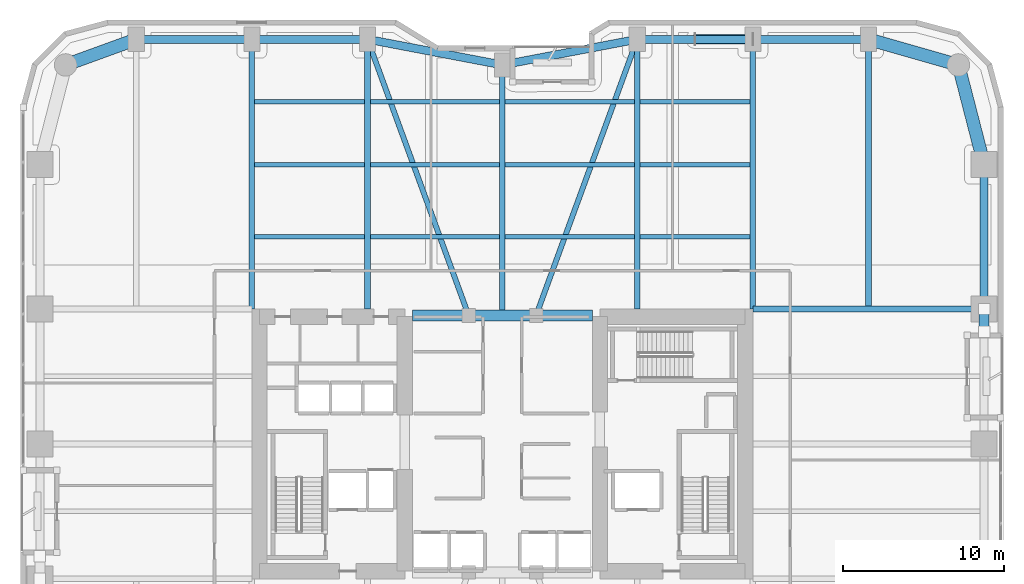
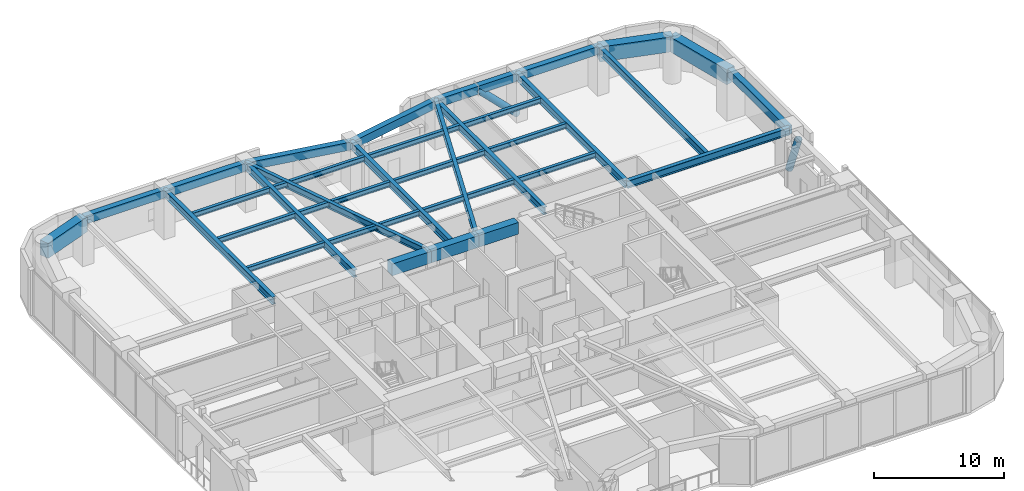
# One storey, part 13 of 25: 34 beams, 2 members.
"""IFC4 building model written with IfcOpenShell, lengths in metres."""

from ifc_helpers import new_model, si_unit, direction, frame, origin, origin_2d, place, context, subcontext, project, spatial, rectangle, hollow_circle, i_section, extrude, material, material_profile, profile_set, type_object, element, save


model = new_model("IFC4")

# Units and contexts
model_context = context("Model", 3, precision=1e-05, world=origin(), true_north=direction((0.0, 1.0)))
body_context = subcontext(model_context, "Body", "Model", "MODEL_VIEW")
ifc_project = project(units=[si_unit("LENGTHUNIT", "METRE"), si_unit("AREAUNIT", "SQUARE_METRE"), si_unit("VOLUMEUNIT", "CUBIC_METRE"), si_unit("PLANEANGLEUNIT", "RADIAN"), si_unit("MASSUNIT", "GRAM", prefix="KILO")], contexts=[model_context])

# Site, building, storey
site_placement = place(None, origin())
site = spatial("IfcSite", under=ifc_project, at=site_placement, CompositionType="ELEMENT")
building_placement = place(site_placement, origin())
building = spatial("IfcBuilding", under=site, at=building_placement, Name="Kiyonajd Concourse Tower", CompositionType="ELEMENT")
storey_placement = place(building_placement, frame((0.0, 0.0, 68.39990234375)))
storey = spatial("IfcBuildingStorey", under=building, at=storey_placement, Name="L18", CompositionType="ELEMENT", Elevation=68.39990234375)

# Beams
ifc_material_1 = material(Name="Concrete C70/85", Category="concrete")
ifc_material_profile_1 = material_profile(ifc_material_1, rectangle(XDim=0.699951171875, YDim=1.10009765625, at=origin_2d()), Name="RCBM-700x1100")
ifc_profile_set_1 = profile_set([ifc_material_profile_1], Name="Concrete C70/85")
beam_type_1 = type_object("IfcBeamType", Name="BM-COUP-1100", PredefinedType="LINTEL", material=ifc_profile_set_1)
beam_1_placement = place(storey_placement, frame((42.39990234375, 44.0, 3.690185546875), z_axis=(1.0, 0.0, 0.0), x_axis=(0.0, 1.0, 0.0)))
element("IfcBeam", 1, at=beam_1_placement, inside=storey, type_object=beam_type_1, Name="L18 Core Coupling Beam N1", PredefinedType="LINTEL", context=body_context, shape_type="SweptSolid", body=[
    extrude(rectangle(XDim=0.699951171875, YDim=1.10009765625, at=origin_2d()), origin(), (0.0, 0.0, 1.0), 3.5),
])
beam_2_placement = place(storey_placement, frame((45.89990234375, 44.0, 3.690185546875), z_axis=(1.0, 0.0, 0.0), x_axis=(0.0, 1.0, 0.0)))
element("IfcBeam", 2, at=beam_2_placement, inside=storey, type_object=beam_type_1, Name="L18 Core Coupling Beam N2", PredefinedType="LINTEL", context=body_context, shape_type="SweptSolid", body=[
    extrude(rectangle(XDim=0.699951171875, YDim=1.10009765625, at=origin_2d()), origin(), (0.0, 0.0, 1.0), 4.2001953125),
])
beam_3_placement = place(storey_placement, frame((50.10009765625, 44.0, 3.690185546875), z_axis=(1.0, 0.0, 0.0), x_axis=(0.0, 1.0, 0.0)))
element("IfcBeam", 3, at=beam_3_placement, inside=storey, type_object=beam_type_1, Name="L18 Core Coupling Beam N3", PredefinedType="LINTEL", context=body_context, shape_type="SweptSolid", body=[
    extrude(rectangle(XDim=0.699951171875, YDim=1.10009765625, at=origin_2d()), origin(), (0.0, 0.0, 1.0), 3.5),
])
ifc_material_2 = material(Name="Steel ASTM A992 Grade 50", Category="steel")
ifc_material_profile_2 = material_profile(ifc_material_2, i_section(OverallWidth=0.280029296875, OverallDepth=0.462890625, WebThickness=0.0107421875, FlangeThickness=0.017333984375, at=origin_2d()), Name="W460X113")
ifc_profile_set_2 = profile_set([ifc_material_profile_2], Name="Steel ASTM A992 Grade 50")
beam_type_2 = type_object("IfcBeamType", Name="BM-JST-460A", PredefinedType="JOIST", material=ifc_profile_set_2)
beam_4_placement = place(storey_placement, frame((32.577392578125, 48.89990234375, 4.008544921875), z_axis=(1.0, 0.0, 0.0), x_axis=(0.0, 1.0, 0.0)))
element("IfcBeam", 4, at=beam_4_placement, inside=storey, type_object=beam_type_2, Name="L18 Secondary Floor Joist", PredefinedType="JOIST", context=body_context, shape_type="SweptSolid", body=[
    extrude(i_section(OverallWidth=0.280029296875, OverallDepth=0.462890625, WebThickness=0.0107421875, FlangeThickness=0.017333984375, at=origin_2d()), origin(), (0.0, 0.0, 1.0), 6.84521484375),
])
for number, where, z_axis, x_axis, name in (
    (5, (39.777587890625, 48.89990234375, 4.008544921875), (1.0, 0.0, 0.0), (0.0, 1.0, 0.0), "L18 Secondary Floor Joist"),
    (6, (48.177490234375, 48.89990234375, 4.008544921875), (1.0, 0.0, 0.0), (0.0, 1.0, 0.0), "L18 Secondary Floor Joist"),
):
    element("IfcBeam", number, at=place(storey_placement, frame(where, z_axis=z_axis, x_axis=x_axis)), inside=storey, type_object=beam_type_2, Name=name, PredefinedType="JOIST", context=body_context, shape_type="SweptSolid", body=[
        extrude(i_section(OverallWidth=0.280029296875, OverallDepth=0.462890625, WebThickness=0.0107421875, FlangeThickness=0.017333984375, at=origin_2d()), origin(), (0.0, 0.0, 1.0), 8.044921875),
    ])
for number, where, z_axis, x_axis, name in (
    (7, (56.577392578125, 48.89990234375, 4.008544921875), (1.0, 0.0, 0.0), (0.0, 1.0, 0.0), "L18 Secondary Floor Joist"),
    (8, (32.577392578125, 53.39990234375, 4.008544921875), (1.0, 0.0, 0.0), (0.0, 1.0, 0.0), "L18 Secondary Floor Joist"),
):
    element("IfcBeam", number, at=place(storey_placement, frame(where, z_axis=z_axis, x_axis=x_axis)), inside=storey, type_object=beam_type_2, Name=name, PredefinedType="JOIST", context=body_context, shape_type="SweptSolid", body=[
        extrude(i_section(OverallWidth=0.280029296875, OverallDepth=0.462890625, WebThickness=0.0107421875, FlangeThickness=0.017333984375, at=origin_2d()), origin(), (0.0, 0.0, 1.0), 6.84521484375),
    ])
for number, where, z_axis, x_axis, name in (
    (9, (39.777587890625, 53.39990234375, 4.008544921875), (1.0, 0.0, 0.0), (0.0, 1.0, 0.0), "L18 Secondary Floor Joist"),
    (10, (48.177490234375, 53.39990234375, 4.008544921875), (1.0, 0.0, 0.0), (0.0, 1.0, 0.0), "L18 Secondary Floor Joist"),
):
    element("IfcBeam", number, at=place(storey_placement, frame(where, z_axis=z_axis, x_axis=x_axis)), inside=storey, type_object=beam_type_2, Name=name, PredefinedType="JOIST", context=body_context, shape_type="SweptSolid", body=[
        extrude(i_section(OverallWidth=0.280029296875, OverallDepth=0.462890625, WebThickness=0.0107421875, FlangeThickness=0.017333984375, at=origin_2d()), origin(), (0.0, 0.0, 1.0), 8.044921875),
    ])
for number, where, z_axis, x_axis, name in (
    (11, (56.577392578125, 53.39990234375, 4.008544921875), (1.0, 0.0, 0.0), (0.0, 1.0, 0.0), "L18 Secondary Floor Joist"),
    (12, (32.577392578125, 57.300048828125, 4.008544921875), (1.0, 0.0, 0.0), (0.0, 1.0, 0.0), "L18 Secondary Floor Joist"),
):
    element("IfcBeam", number, at=place(storey_placement, frame(where, z_axis=z_axis, x_axis=x_axis)), inside=storey, type_object=beam_type_2, Name=name, PredefinedType="JOIST", context=body_context, shape_type="SweptSolid", body=[
        extrude(i_section(OverallWidth=0.280029296875, OverallDepth=0.462890625, WebThickness=0.0107421875, FlangeThickness=0.017333984375, at=origin_2d()), origin(), (0.0, 0.0, 1.0), 6.84521484375),
    ])
for number, where, z_axis, x_axis, name in (
    (13, (39.777587890625, 57.300048828125, 4.008544921875), (1.0, 0.0, 0.0), (0.0, 1.0, 0.0), "L18 Secondary Floor Joist"),
    (14, (48.177490234375, 57.300048828125, 4.008544921875), (1.0, 0.0, 0.0), (0.0, 1.0, 0.0), "L18 Secondary Floor Joist"),
):
    element("IfcBeam", number, at=place(storey_placement, frame(where, z_axis=z_axis, x_axis=x_axis)), inside=storey, type_object=beam_type_2, Name=name, PredefinedType="JOIST", context=body_context, shape_type="SweptSolid", body=[
        extrude(i_section(OverallWidth=0.280029296875, OverallDepth=0.462890625, WebThickness=0.0107421875, FlangeThickness=0.017333984375, at=origin_2d()), origin(), (0.0, 0.0, 1.0), 8.044921875),
    ])
beam_5_placement = place(storey_placement, frame((56.577392578125, 57.300048828125, 4.008544921875), z_axis=(1.0, 0.0, 0.0), x_axis=(0.0, 1.0, 0.0)))
element("IfcBeam", 15, at=beam_5_placement, inside=storey, type_object=beam_type_2, Name="L18 Secondary Floor Joist", PredefinedType="JOIST", context=body_context, shape_type="SweptSolid", body=[
    extrude(i_section(OverallWidth=0.280029296875, OverallDepth=0.462890625, WebThickness=0.0107421875, FlangeThickness=0.017333984375, at=origin_2d()), origin(), (0.0, 0.0, 1.0), 6.84521484375),
])
ifc_material_3 = material(Name="Precast concrete C50/60", Category="concrete")
ifc_material_profile_3 = material_profile(ifc_material_3, rectangle(XDim=0.5, YDim=0.75, at=origin_2d()), Name="RCBM-500x750")
ifc_profile_set_3 = profile_set([ifc_material_profile_3], Name="Precast concrete C50/60")
beam_type_3 = type_object("IfcBeamType", Name="BM-SPAN-RC", PredefinedType="SPANDREL", material=ifc_profile_set_3)
beam_6_placement = place(storey_placement, frame((78.0, 44.39990234375, 3.864990234375), z_axis=(0.0, 1.0, 0.0), x_axis=(-1.0, 0.0, 0.0)))
element("IfcBeam", 16, at=beam_6_placement, inside=storey, type_object=beam_type_3, Name="L18 Perimeter Bundled Tube Spandrel", PredefinedType="SPANDREL", context=body_context, shape_type="SweptSolid", body=[
    extrude(rectangle(XDim=0.5, YDim=0.75, at=origin_2d()), origin(), (0.0, 0.0, 1.0), 9.0),
])
beam_7_placement = place(storey_placement, frame((70.800048828125, 61.199951171875, 3.864990234375), z_axis=(-1.0, 0.0, 0.0), x_axis=(0.0, -1.0, 0.0)))
element("IfcBeam", 17, at=beam_7_placement, inside=storey, type_object=beam_type_3, Name="L18 Perimeter Bundled Tube Spandrel", PredefinedType="SPANDREL", context=body_context, shape_type="SweptSolid", body=[
    extrude(rectangle(XDim=0.5, YDim=0.75, at=origin_2d()), origin(), (0.0, 0.0, 1.0), 7.199951171875),
])
beam_8_placement = place(storey_placement, frame((63.60009765625, 61.199951171875, 3.864990234375), z_axis=(-1.0, 0.0, 0.0), x_axis=(0.0, -1.0, 0.0)))
element("IfcBeam", 18, at=beam_8_placement, inside=storey, type_object=beam_type_3, Name="L18 Perimeter Bundled Tube Spandrel", PredefinedType="SPANDREL", context=body_context, shape_type="SweptSolid", body=[
    extrude(rectangle(XDim=0.5, YDim=0.75, at=origin_2d()), origin(), (0.0, 0.0, 1.0), 7.2001953125),
])
for number, where, z_axis, x_axis, name in (
    (19, (56.39990234375, 61.199951171875, 3.864990234375), (-0.982341315253, -0.187097675953, 0.0), (0.187097675953, -0.982341315253, 0.0), "L18 Perimeter Bundled Tube Spandrel"),
    (20, (48.0, 59.60009765625, 3.864990234375), (-0.982341315253, 0.187097675953, 0.0), (-0.187097675953, -0.982341315253, 0.0), "L18 Perimeter Bundled Tube Spandrel"),
):
    element("IfcBeam", number, at=place(storey_placement, frame(where, z_axis=z_axis, x_axis=x_axis)), inside=storey, type_object=beam_type_3, Name=name, PredefinedType="SPANDREL", context=body_context, shape_type="SweptSolid", body=[
        extrude(rectangle(XDim=0.5, YDim=0.75, at=origin_2d()), origin(), (0.0, 0.0, 1.0), 8.55078125),
    ])
beam_9_placement = place(storey_placement, frame((39.60009765625, 61.199951171875, 3.864990234375), z_axis=(-1.0, 0.0, 0.0), x_axis=(0.0, -1.0, 0.0)))
element("IfcBeam", 21, at=beam_9_placement, inside=storey, type_object=beam_type_3, Name="L18 Perimeter Bundled Tube Spandrel", PredefinedType="SPANDREL", context=body_context, shape_type="SweptSolid", body=[
    extrude(rectangle(XDim=0.5, YDim=0.75, at=origin_2d()), origin(), (0.0, 0.0, 1.0), 7.2001953125),
])
beam_10_placement = place(storey_placement, frame((32.39990234375, 61.199951171875, 3.864990234375), z_axis=(-1.0, 0.0, 0.0), x_axis=(0.0, -1.0, 0.0)))
element("IfcBeam", 22, at=beam_10_placement, inside=storey, type_object=beam_type_3, Name="L18 Perimeter Bundled Tube Spandrel", PredefinedType="SPANDREL", context=body_context, shape_type="SweptSolid", body=[
    extrude(rectangle(XDim=0.5, YDim=0.75, at=origin_2d()), origin(), (0.0, 0.0, 1.0), 7.199951171875),
])
ifc_material_profile_4 = material_profile(ifc_material_2, i_section(OverallWidth=0.326904296875, OverallDepth=0.6220703125, WebThickness=0.015380859375, FlangeThickness=0.0244140625, at=origin_2d()), Name="W610X195")
ifc_profile_set_4 = profile_set([ifc_material_profile_4], Name="Steel ASTM A992 Grade 50")
beam_type_4 = type_object("IfcBeamType", Name="BM-TWR-610A", PredefinedType="BEAM", material=ifc_profile_set_4)
for number, where, z_axis, x_axis, name in (
    (23, (39.60009765625, 61.199951171875, 3.92919921875), (0.343925269715, -0.938997022813, 0.0), (0.938997022813, 0.343925269715, 0.0), "L18 Core Tie Girder"),
    (24, (50.10009765625, 44.0, 3.92919921875), (0.343925269715, 0.938997022813, 0.0), (-0.938997022813, 0.343925269715, 0.0), "L18 Core Tie Girder"),
):
    element("IfcBeam", number, at=place(storey_placement, frame(where, z_axis=z_axis, x_axis=x_axis)), inside=storey, type_object=beam_type_4, Name=name, PredefinedType="BEAM", context=body_context, shape_type="SweptSolid", body=[
        extrude(i_section(OverallWidth=0.326904296875, OverallDepth=0.6220703125, WebThickness=0.015380859375, FlangeThickness=0.0244140625, at=origin_2d()), origin(), (0.0, 0.0, 1.0), 18.3173828125),
    ])
ifc_material_profile_5 = material_profile(ifc_material_2, i_section(OverallWidth=0.35498046875, OverallDepth=0.695068359375, WebThickness=0.015380859375, FlangeThickness=0.02490234375, at=origin_2d()), Name="W690X217")
ifc_profile_set_5 = profile_set([ifc_material_profile_5], Name="Steel ASTM A992 Grade 50")
beam_type_5 = type_object("IfcBeamType", Name="BM-TWR-690", PredefinedType="BEAM", material=ifc_profile_set_5)
for number, where, z_axis, x_axis, name in (
    (25, (32.39990234375, 44.39990234375, 3.892578125), (0.0, 1.0, 0.0), (-1.0, 0.0, 0.0), "L18 North Lease Girder"),
    (26, (39.60009765625, 44.39990234375, 3.892578125), (0.0, 1.0, 0.0), (-1.0, 0.0, 0.0), "L18 North Lease Girder"),
    (27, (56.39990234375, 44.39990234375, 3.892578125), (0.0, 1.0, 0.0), (-1.0, 0.0, 0.0), "L18 North Lease Girder"),
    (28, (63.60009765625, 44.39990234375, 3.892578125), (0.0, 1.0, 0.0), (-1.0, 0.0, 0.0), "L18 North Lease Girder"),
    (29, (70.800048828125, 44.39990234375, 3.892578125), (0.0, 1.0, 0.0), (-1.0, 0.0, 0.0), "L18 North Lease Girder"),
):
    element("IfcBeam", number, at=place(storey_placement, frame(where, z_axis=z_axis, x_axis=x_axis)), inside=storey, type_object=beam_type_5, Name=name, PredefinedType="BEAM", context=body_context, shape_type="SweptSolid", body=[
        extrude(i_section(OverallWidth=0.35498046875, OverallDepth=0.695068359375, WebThickness=0.015380859375, FlangeThickness=0.02490234375, at=origin_2d()), origin(), (0.0, 0.0, 1.0), 16.800048828125),
    ])
beam_11_placement = place(storey_placement, frame((48.0, 44.0, 3.892578125), z_axis=(0.0, 1.0, 0.0), x_axis=(-1.0, 0.0, 0.0)))
element("IfcBeam", 30, at=beam_11_placement, inside=storey, type_object=beam_type_5, Name="L18 North Ribbon Girder", PredefinedType="BEAM", context=body_context, shape_type="SweptSolid", body=[
    extrude(i_section(OverallWidth=0.35498046875, OverallDepth=0.695068359375, WebThickness=0.015380859375, FlangeThickness=0.02490234375, at=origin_2d()), origin(), (0.0, 0.0, 1.0), 15.60009765625),
])
beam_12_placement = place(storey_placement, frame((63.60009765625, 44.39990234375, 3.892578125), z_axis=(1.0, 0.0, 0.0), x_axis=(0.0, 1.0, 0.0)))
element("IfcBeam", 31, at=beam_12_placement, inside=storey, type_object=beam_type_5, Name="L18 East Lease Girder", PredefinedType="BEAM", context=body_context, shape_type="SweptSolid", body=[
    extrude(i_section(OverallWidth=0.35498046875, OverallDepth=0.695068359375, WebThickness=0.015380859375, FlangeThickness=0.02490234375, at=origin_2d()), origin(), (0.0, 0.0, 1.0), 14.39990234375),
])
ifc_material_4 = material(Name="Concrete C60/75", Category="concrete")
ifc_material_profile_6 = material_profile(ifc_material_4, rectangle(XDim=0.800048828125, YDim=1.39990234375, at=origin_2d()), Name="RCBM-800x1400")
ifc_profile_set_6 = profile_set([ifc_material_profile_6], Name="Concrete C60/75")
beam_type_6 = type_object("IfcBeamType", Name="BM-XFER-RC", PredefinedType="BEAM", material=ifc_profile_set_6)
beam_13_placement = place(storey_placement, frame((78.0, 53.39990234375, 3.5400390625), z_axis=(-0.249884937687, 0.968275538221, 0.0), x_axis=(-0.968275538221, -0.249884937687, 0.0)))
element("IfcBeam", 32, at=beam_13_placement, inside=storey, type_object=beam_type_6, Name="L18 Perimeter Bundled Tube Spandrel", PredefinedType="BEAM", context=body_context, shape_type="SweptSolid", body=[
    extrude(rectangle(XDim=0.800048828125, YDim=1.39990234375, at=origin_2d()), origin(), (0.0, 0.0, 1.0), 6.4033203125),
])
beam_14_placement = place(storey_placement, frame((76.39990234375, 59.60009765625, 3.5400390625), z_axis=(-0.961528693205, 0.274704517878, 0.0), x_axis=(-0.274704517878, -0.961528693205, 0.0)))
element("IfcBeam", 33, at=beam_14_placement, inside=storey, type_object=beam_type_6, Name="L18 Perimeter Bundled Tube Spandrel", PredefinedType="BEAM", context=body_context, shape_type="SweptSolid", body=[
    extrude(rectangle(XDim=0.800048828125, YDim=1.39990234375, at=origin_2d()), origin(), (0.0, 0.0, 1.0), 5.823974609375),
])
beam_15_placement = place(storey_placement, frame((25.199951171875, 61.199951171875, 3.5400390625), z_axis=(-0.939801036019, -0.341722127901, 0.0), x_axis=(0.341722127901, -0.939801036019, 0.0)))
element("IfcBeam", 34, at=beam_15_placement, inside=storey, type_object=beam_type_6, Name="L18 Perimeter Bundled Tube Spandrel", PredefinedType="BEAM", context=body_context, shape_type="SweptSolid", body=[
    extrude(rectangle(XDim=0.800048828125, YDim=1.39990234375, at=origin_2d()), origin(), (0.0, 0.0, 1.0), 4.681640625),
])

# Members
ifc_material_5 = material(Name="Steel ASTM A572 Grade 50", Category="steel")
ifc_material_profile_7 = material_profile(ifc_material_5, hollow_circle(Radius=0.304931640625, WallThickness=0.02490234375, at=origin_2d()), Name="CHS-610x25")
ifc_profile_set_7 = profile_set([ifc_material_profile_7], Name="Steel ASTM A572 Grade 50")
member_type = type_object("IfcMemberType", Name="MB-PB-LOW", PredefinedType="BRACE", material=ifc_profile_set_7)
member_1_placement = place(storey_placement, frame((63.60009765625, 61.199951171875, 0.300048828125), z_axis=(-0.708090488697, 0.0, 0.706121703261), x_axis=(0.0, -1.0, 0.0)))
element("IfcMember", 35, at=member_1_placement, inside=storey, type_object=member_type, Name="L18 Lower Zone Welded Tube Brace PBN", PredefinedType="BRACE", context=body_context, shape_type="SweptSolid", body=[
    extrude(hollow_circle(Radius=0.304931640625, WallThickness=0.02490234375, at=origin_2d()), origin(), (0.0, 0.0, 1.0), 5.084228515625),
])
member_2_placement = place(storey_placement, frame((78.0, 44.39990234375, 0.300048828125), z_axis=(0.0, -0.363293032355, 0.931674928633), x_axis=(1.0, 0.0, 0.0)))
element("IfcMember", 36, at=member_2_placement, inside=storey, type_object=member_type, Name="L18 Lower Zone Welded Tube Brace PBE", PredefinedType="BRACE", context=body_context, shape_type="SweptSolid", body=[
    extrude(hollow_circle(Radius=0.304931640625, WallThickness=0.02490234375, at=origin_2d()), origin(), (0.0, 0.0, 1.0), 3.853271484375),
])

save(model, "model.ifc")
